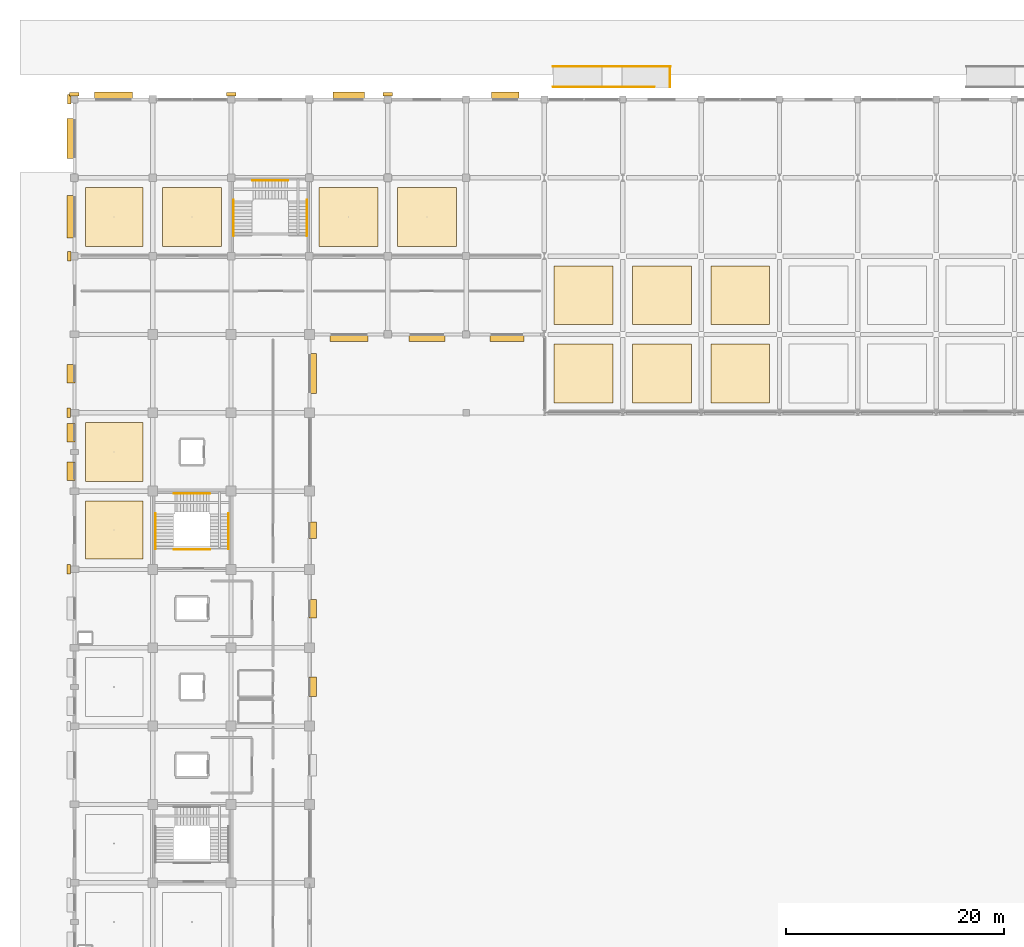
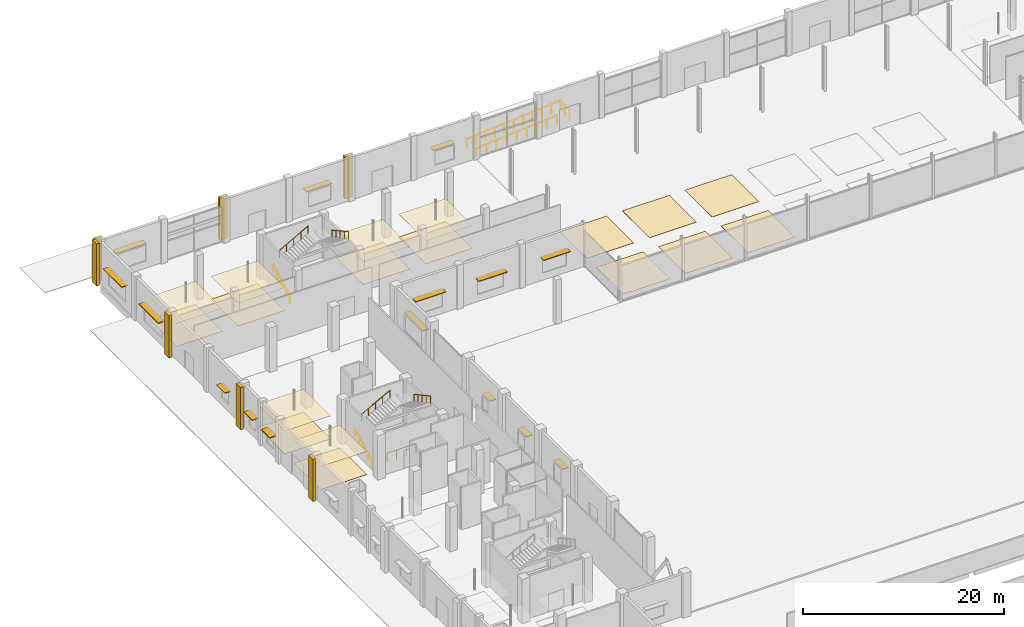
# One storey, part 86 of 90: 25 coverings, 15 shading devices, 10 railings.
"""IFC4 building model written with IfcOpenShell, lengths in metres."""

from ifc_helpers import new_model, si_unit, direction, frame, origin, origin_2d, place, context, subcontext, project, spatial, polyline, rectangle, circle, outline, extrude, material, layer, layer_set, type_object, element, save


model = new_model("IFC4")

# Units and contexts
model_context = context("Model", 3, precision=1e-05, world=origin(), true_north=direction((0.0, 1.0)))
body_context = subcontext(model_context, "Body", "Model", "MODEL_VIEW")
ifc_project = project(units=[si_unit("LENGTHUNIT", "METRE"), si_unit("AREAUNIT", "SQUARE_METRE"), si_unit("VOLUMEUNIT", "CUBIC_METRE"), si_unit("PLANEANGLEUNIT", "RADIAN"), si_unit("MASSUNIT", "GRAM", prefix="KILO")], contexts=[model_context])

# Site, building, storey
site_placement = place(None, origin())
site = spatial("IfcSite", under=ifc_project, at=site_placement, CompositionType="ELEMENT")
building_placement = place(site_placement, origin())
building = spatial("IfcBuilding", under=site, at=building_placement, Name="Kangsadwip Square Police Headquarters", CompositionType="ELEMENT")
storey_placement = place(building_placement, origin())
storey = spatial("IfcBuildingStorey", under=building, at=storey_placement, Name="L00", CompositionType="ELEMENT", Elevation=0.0)

# Railings
ifc_material_1 = material(Name="Structural steel IS 2062 E250 (Grade 250, 250 MPa)", Category="steel")
railing_type_1 = type_object("IfcRailingType", Name="BalustradeGuard1100", PredefinedType="BALUSTRADE", material=ifc_material_1)
railing_1_placement = place(storey_placement, frame((44.0, 116.360107421875, -0.89990234375)))
element("IfcRailing", 1, at=railing_1_placement, inside=storey, type_object=railing_type_1, Name="Accessible Ramp Guard AR-01-29", PredefinedType="BALUSTRADE", context=body_context, shape_type="SweptSolid", body=[
    extrude(circle(Radius=0.02392578125, at=origin_2d()), frame((0.0, 0.0, 1.09619140625), z_axis=(0.99672403335, 0.0, 0.080877693725), x_axis=(0.0, 1.0, 0.0)), (0.0, 0.0, 1.0), 9.33056640625),
    extrude(circle(Radius=0.02099609375, at=origin_2d()), origin(), (0.0, 0.0, 1.0), 1.072021484375),
    extrude(circle(Radius=0.02099609375, at=origin_2d()), frame((1.16259765625, 0.0, 0.09423828125)), (0.0, 0.0, 1.0), 1.072021484375),
    extrude(circle(Radius=0.02099609375, at=origin_2d()), frame((2.324951171875, 0.0, 0.188720703125)), (0.0, 0.0, 1.0), 1.072021484375),
    extrude(circle(Radius=0.02099609375, at=origin_2d()), frame((3.487548828125, 0.0, 0.282958984375)), (0.0, 0.0, 1.0), 1.072021484375),
    extrude(circle(Radius=0.02099609375, at=origin_2d()), frame((4.64990234375, 0.0, 0.37744140625)), (0.0, 0.0, 1.0), 1.072021484375),
    extrude(circle(Radius=0.02099609375, at=origin_2d()), frame((5.8125, 0.0, 0.4716796875)), (0.0, 0.0, 1.0), 1.072021484375),
    extrude(circle(Radius=0.02099609375, at=origin_2d()), frame((6.97509765625, 0.0, 0.56591796875)), (0.0, 0.0, 1.0), 1.072021484375),
    extrude(circle(Radius=0.02099609375, at=origin_2d()), frame((8.137451171875, 0.0, 0.660400390625)), (0.0, 0.0, 1.0), 1.072021484375),
    extrude(circle(Radius=0.02099609375, at=origin_2d()), frame((9.300048828125, 0.0, 0.754638671875)), (0.0, 0.0, 1.0), 1.072021484375),
])
railing_2_placement = place(storey_placement, frame((44.0, 118.239990234375, -0.89990234375)))
element("IfcRailing", 2, at=railing_2_placement, inside=storey, type_object=railing_type_1, Name="Accessible Ramp Guard AR-01-30", PredefinedType="BALUSTRADE", context=body_context, shape_type="SweptSolid", body=[
    extrude(circle(Radius=0.02392578125, at=origin_2d()), frame((0.0, 0.0, 1.09619140625), z_axis=(0.99654653501, 0.0, 0.083036158149), x_axis=(0.0, 1.0, 0.0)), (0.0, 0.0, 1.0), 10.83740234375),
    extrude(circle(Radius=0.02099609375, at=origin_2d()), origin(), (0.0, 0.0, 1.0), 1.072021484375),
    extrude(circle(Radius=0.02099609375, at=origin_2d()), frame((1.080078125, 0.0, 0.090087890625)), (0.0, 0.0, 1.0), 1.072021484375),
    extrude(circle(Radius=0.02099609375, at=origin_2d()), frame((2.159912109375, 0.0, 0.179931640625)), (0.0, 0.0, 1.0), 1.072021484375),
    extrude(circle(Radius=0.02099609375, at=origin_2d()), frame((3.239990234375, 0.0, 0.27001953125)), (0.0, 0.0, 1.0), 1.072021484375),
    extrude(circle(Radius=0.02099609375, at=origin_2d()), frame((4.320068359375, 0.0, 0.35986328125)), (0.0, 0.0, 1.0), 1.072021484375),
    extrude(circle(Radius=0.02099609375, at=origin_2d()), frame((5.39990234375, 0.0, 0.449951171875)), (0.0, 0.0, 1.0), 1.072021484375),
    extrude(circle(Radius=0.02099609375, at=origin_2d()), frame((6.47998046875, 0.0, 0.5400390625)), (0.0, 0.0, 1.0), 1.072021484375),
    extrude(circle(Radius=0.02099609375, at=origin_2d()), frame((7.56005859375, 0.0, 0.6298828125)), (0.0, 0.0, 1.0), 1.072021484375),
    extrude(circle(Radius=0.02099609375, at=origin_2d()), frame((8.64013671875, 0.0, 0.719970703125)), (0.0, 0.0, 1.0), 1.072021484375),
    extrude(circle(Radius=0.02099609375, at=origin_2d()), frame((9.719970703125, 0.0, 0.809814453125)), (0.0, 0.0, 1.0), 1.072021484375),
    extrude(circle(Radius=0.02099609375, at=origin_2d()), frame((10.800048828125, 0.0, 0.89990234375)), (0.0, 0.0, 1.0), 1.072021484375),
])
railing_3_placement = place(storey_placement, frame((54.739990234375, 116.360107421875, 0.0)))
element("IfcRailing", 3, at=railing_3_placement, inside=storey, type_object=railing_type_1, Name="Accessible Ramp End Guard AR-01-31", PredefinedType="BALUSTRADE", context=body_context, shape_type="SweptSolid", body=[
    extrude(circle(Radius=0.02392578125, at=origin_2d()), frame((0.0, 0.0, 1.09619140625), z_axis=(0.0, 1.0, 0.0), x_axis=(-1.0, 0.0, 0.0)), (0.0, 0.0, 1.0), 1.8798828125),
    extrude(circle(Radius=0.02099609375, at=origin_2d()), origin(), (0.0, 0.0, 1.0), 1.072021484375),
    extrude(circle(Radius=0.02099609375, at=origin_2d()), frame((0.0, 0.93994140625, 0.0)), (0.0, 0.0, 1.0), 1.072021484375),
    extrude(circle(Radius=0.02099609375, at=origin_2d()), frame((0.0, 1.8798828125, 0.0)), (0.0, 0.0, 1.0), 1.072021484375),
])
railing_4_placement = place(storey_placement, frame((9.1298828125, 73.820068359375, 0.0)))
element("IfcRailing", 4, at=railing_4_placement, inside=storey, type_object=railing_type_1, Name="Stair Guard ST-02 L00-39", PredefinedType="BALUSTRADE", context=body_context, shape_type="SweptSolid", body=[
    extrude(circle(Radius=0.02392578125, at=origin_2d()), frame((0.0, 0.0, 1.09619140625), z_axis=(1.0, 0.0, 0.0), x_axis=(0.0, 1.0, 0.0)), (0.0, 0.0, 1.0), 3.340087890625),
    extrude(circle(Radius=0.02099609375, at=origin_2d()), origin(), (0.0, 0.0, 1.0), 1.072021484375),
    extrude(circle(Radius=0.02099609375, at=origin_2d()), frame((1.11328125, 0.0, 0.0)), (0.0, 0.0, 1.0), 1.072021484375),
    extrude(circle(Radius=0.02099609375, at=origin_2d()), frame((2.226806640625, 0.0, 0.0)), (0.0, 0.0, 1.0), 1.072021484375),
    extrude(circle(Radius=0.02099609375, at=origin_2d()), frame((3.340087890625, 0.0, 0.0)), (0.0, 0.0, 1.0), 1.072021484375),
])

# Coverings
ifc_material_2 = material(Name="Seamless anti-static epoxy and polished Kota stone interior flooring", Category="masonry")
ifc_layer_1 = layer(ifc_material_2, 0.02001953125)
ifc_layer_set_1 = layer_set([ifc_layer_1], Name="Seamless anti-static epoxy and polished Kota stone interior flooring")
covering_type_1 = type_object("IfcCoveringType", Name="InteriorStoneEpoxyFloor", PredefinedType="FLOORING", material=ifc_layer_set_1)
covering_1_placement = place(storey_placement, origin())
element("IfcCovering", 5, at=covering_1_placement, inside=storey, type_object=covering_type_1, Name="Interior Floor Finish L00-001", PredefinedType="FLOORING", context=body_context, shape_type="SweptSolid", body=[
    extrude(outline(polyline([(44.10009765625, 87.300048828125), (49.5, 87.300048828125), (49.5, 92.699951171875), (44.10009765625, 92.699951171875), (44.10009765625, 87.300048828125)])), origin(), (0.0, 0.0, 1.0), 0.02001953125),
])
covering_2_placement = place(storey_placement, origin())
element("IfcCovering", 6, at=covering_2_placement, inside=storey, type_object=covering_type_1, Name="Interior Floor Finish L00-002", PredefinedType="FLOORING", context=body_context, shape_type="SweptSolid", body=[
    extrude(outline(polyline([(51.300048828125, 87.300048828125), (56.699951171875, 87.300048828125), (56.699951171875, 92.699951171875), (51.300048828125, 92.699951171875), (51.300048828125, 87.300048828125)])), origin(), (0.0, 0.0, 1.0), 0.02001953125),
])
covering_3_placement = place(storey_placement, origin())
element("IfcCovering", 7, at=covering_3_placement, inside=storey, type_object=covering_type_1, Name="Interior Floor Finish L00-003", PredefinedType="FLOORING", context=body_context, shape_type="SweptSolid", body=[
    extrude(outline(polyline([(58.5, 87.300048828125), (63.89990234375, 87.300048828125), (63.89990234375, 92.699951171875), (58.5, 92.699951171875), (58.5, 87.300048828125)])), origin(), (0.0, 0.0, 1.0), 0.02001953125),
])
covering_4_placement = place(storey_placement, origin())
element("IfcCovering", 8, at=covering_4_placement, inside=storey, type_object=covering_type_1, Name="Interior Floor Finish L00-007", PredefinedType="FLOORING", context=body_context, shape_type="SweptSolid", body=[
    extrude(outline(polyline([(44.10009765625, 94.5), (49.5, 94.5), (49.5, 99.89990234375), (44.10009765625, 99.89990234375), (44.10009765625, 94.5)])), origin(), (0.0, 0.0, 1.0), 0.02001953125),
])
covering_5_placement = place(storey_placement, origin())
element("IfcCovering", 9, at=covering_5_placement, inside=storey, type_object=covering_type_1, Name="Interior Floor Finish L00-008", PredefinedType="FLOORING", context=body_context, shape_type="SweptSolid", body=[
    extrude(outline(polyline([(51.300048828125, 94.5), (56.699951171875, 94.5), (56.699951171875, 99.89990234375), (51.300048828125, 99.89990234375), (51.300048828125, 94.5)])), origin(), (0.0, 0.0, 1.0), 0.02001953125),
])
covering_6_placement = place(storey_placement, origin())
element("IfcCovering", 10, at=covering_6_placement, inside=storey, type_object=covering_type_1, Name="Interior Floor Finish L00-009", PredefinedType="FLOORING", context=body_context, shape_type="SweptSolid", body=[
    extrude(outline(polyline([(58.5, 94.5), (63.89990234375, 94.5), (63.89990234375, 99.89990234375), (58.5, 99.89990234375), (58.5, 94.5)])), origin(), (0.0, 0.0, 1.0), 0.02001953125),
])
covering_7_placement = place(storey_placement, origin())
element("IfcCovering", 11, at=covering_7_placement, inside=storey, type_object=covering_type_1, Name="Interior Floor Finish L00-013", PredefinedType="FLOORING", context=body_context, shape_type="SweptSolid", body=[
    extrude(outline(polyline([(1.0, 101.699951171875), (6.300048828125, 101.699951171875), (6.300048828125, 107.10009765625), (1.0, 107.10009765625), (1.0, 101.699951171875)])), origin(), (0.0, 0.0, 1.0), 0.02001953125),
])
covering_8_placement = place(storey_placement, origin())
element("IfcCovering", 12, at=covering_8_placement, inside=storey, type_object=covering_type_1, Name="Interior Floor Finish L00-014", PredefinedType="FLOORING", context=body_context, shape_type="SweptSolid", body=[
    extrude(outline(polyline([(8.10009765625, 101.699951171875), (13.5, 101.699951171875), (13.5, 107.10009765625), (8.10009765625, 107.10009765625), (8.10009765625, 101.699951171875)])), origin(), (0.0, 0.0, 1.0), 0.02001953125),
])
covering_9_placement = place(storey_placement, origin())
element("IfcCovering", 13, at=covering_9_placement, inside=storey, type_object=covering_type_1, Name="Interior Floor Finish L00-015", PredefinedType="FLOORING", context=body_context, shape_type="SweptSolid", body=[
    extrude(outline(polyline([(22.5, 101.699951171875), (27.89990234375, 101.699951171875), (27.89990234375, 107.10009765625), (22.5, 107.10009765625), (22.5, 101.699951171875)])), origin(), (0.0, 0.0, 1.0), 0.02001953125),
])
covering_10_placement = place(storey_placement, origin())
element("IfcCovering", 14, at=covering_10_placement, inside=storey, type_object=covering_type_1, Name="Interior Floor Finish L00-016", PredefinedType="FLOORING", context=body_context, shape_type="SweptSolid", body=[
    extrude(outline(polyline([(29.699951171875, 101.699951171875), (35.10009765625, 101.699951171875), (35.10009765625, 107.10009765625), (29.699951171875, 107.10009765625), (29.699951171875, 101.699951171875)])), origin(), (0.0, 0.0, 1.0), 0.02001953125),
])
covering_11_placement = place(storey_placement, origin())
element("IfcCovering", 15, at=covering_11_placement, inside=storey, type_object=covering_type_1, Name="Interior Floor Finish L00-028", PredefinedType="FLOORING", context=body_context, shape_type="SweptSolid", body=[
    extrude(outline(polyline([(1.0, 72.949951171875), (6.300048828125, 72.949951171875), (6.300048828125, 78.300048828125), (1.0, 78.300048828125), (1.0, 72.949951171875)])), origin(), (0.0, 0.0, 1.0), 0.02001953125),
])
covering_12_placement = place(storey_placement, origin())
element("IfcCovering", 16, at=covering_12_placement, inside=storey, type_object=covering_type_1, Name="Interior Floor Finish L00-029", PredefinedType="FLOORING", context=body_context, shape_type="SweptSolid", body=[
    extrude(outline(polyline([(1.0, 80.10009765625), (6.300048828125, 80.10009765625), (6.300048828125, 85.5), (1.0, 85.5), (1.0, 80.10009765625)])), origin(), (0.0, 0.0, 1.0), 0.02001953125),
])

# Railings
ifc_material_3 = material(Name="Structural steel IS 2062 E250 (Grade 250, 250 MPa)", Category="steel")
railing_type_2 = type_object("IfcRailingType", Name="StairPitchHandrail900", PredefinedType="HANDRAIL", material=ifc_material_3)
railing_5_placement = place(storey_placement, frame((7.43994140625, 73.860107421875, 0.0)))
element("IfcRailing", 17, at=railing_5_placement, inside=storey, type_object=railing_type_2, Name="Stair Handrail ST-02 L00-40", PredefinedType="HANDRAIL", context=body_context, shape_type="SweptSolid", body=[
    extrude(circle(Radius=0.02392578125, at=origin_2d()), frame((0.0, 0.0, 0.8759765625), z_axis=(0.0, 0.8778781969, 0.478883985332), x_axis=(-1.0, 0.0, 0.0)), (0.0, 0.0, 1.0), 3.7587890625),
    extrude(circle(Radius=0.02099609375, at=origin_2d()), origin(), (0.0, 0.0, 1.0), 0.851806640625),
    extrude(circle(Radius=0.02099609375, at=origin_2d()), frame((0.0, 0.824951171875, 0.449951171875)), (0.0, 0.0, 1.0), 0.851806640625),
    extrude(circle(Radius=0.02099609375, at=origin_2d()), frame((0.0, 1.64990234375, 0.89990234375)), (0.0, 0.0, 1.0), 0.851806640625),
    extrude(circle(Radius=0.02099609375, at=origin_2d()), frame((0.0, 2.474853515625, 1.35009765625)), (0.0, 0.0, 1.0), 0.851806640625),
    extrude(circle(Radius=0.02099609375, at=origin_2d()), frame((0.0, 3.2998046875, 1.800048828125)), (0.0, 0.0, 1.0), 0.851806640625),
])
railing_6_placement = place(storey_placement, frame((9.14990234375, 78.9599609375, 1.800048828125)))
element("IfcRailing", 18, at=railing_6_placement, inside=storey, type_object=railing_type_2, Name="Stair Handrail ST-02 L00-41", PredefinedType="HANDRAIL", context=body_context, shape_type="SweptSolid", body=[
    extrude(circle(Radius=0.02392578125, at=origin_2d()), frame((0.0, 0.0, 0.8759765625), z_axis=(0.877893090839, 0.0, 0.478856681124), x_axis=(0.0, 1.0, 0.0)), (0.0, 0.0, 1.0), 3.759033203125),
    extrude(circle(Radius=0.02099609375, at=origin_2d()), origin(), (0.0, 0.0, 1.0), 0.851806640625),
    extrude(circle(Radius=0.02099609375, at=origin_2d()), frame((0.824951171875, 0.0, 0.449951171875)), (0.0, 0.0, 1.0), 0.851806640625),
    extrude(circle(Radius=0.02099609375, at=origin_2d()), frame((1.64990234375, 0.0, 0.89990234375)), (0.0, 0.0, 1.0), 0.851806640625),
    extrude(circle(Radius=0.02099609375, at=origin_2d()), frame((2.47509765625, 0.0, 1.35009765625)), (0.0, 0.0, 1.0), 0.851806640625),
    extrude(circle(Radius=0.02099609375, at=origin_2d()), frame((3.300048828125, 0.0, 1.800048828125)), (0.0, 0.0, 1.0), 0.851806640625),
])
railing_7_placement = place(storey_placement, frame((14.159912109375, 77.159912109375, 3.60009765625)))
element("IfcRailing", 19, at=railing_7_placement, inside=storey, type_object=railing_type_2, Name="Stair Handrail ST-02 L00-42", PredefinedType="HANDRAIL", context=body_context, shape_type="SweptSolid", body=[
    extrude(circle(Radius=0.02392578125, at=origin_2d()), frame((0.0, 0.0, 0.8759765625), z_axis=(0.0, -0.877905501855, 0.478833927173), x_axis=(1.0, 0.0, 0.0)), (0.0, 0.0, 1.0), 3.7587890625),
    extrude(circle(Radius=0.02099609375, at=origin_2d()), origin(), (0.0, 0.0, 1.0), 0.851806640625),
    extrude(circle(Radius=0.02099609375, at=origin_2d()), frame((0.0, -0.824951171875, 0.449951171875)), (0.0, 0.0, 1.0), 0.851806640625),
    extrude(circle(Radius=0.02099609375, at=origin_2d()), frame((0.0, -1.64990234375, 0.89990234375)), (0.0, 0.0, 1.0), 0.851806640625),
    extrude(circle(Radius=0.02099609375, at=origin_2d()), frame((0.0, -2.474853515625, 1.349853515625)), (0.0, 0.0, 1.0), 0.851806640625),
    extrude(circle(Radius=0.02099609375, at=origin_2d()), frame((0.0, -3.2998046875, 1.7998046875)), (0.0, 0.0, 1.0), 0.851806640625),
])
railing_8_placement = place(storey_placement, frame((14.639892578125, 102.659912109375, 0.0)))
element("IfcRailing", 20, at=railing_8_placement, inside=storey, type_object=railing_type_2, Name="Stair Handrail ST-07 L00-163", PredefinedType="HANDRAIL", context=body_context, shape_type="SweptSolid", body=[
    extrude(circle(Radius=0.02392578125, at=origin_2d()), frame((0.0, 0.0, 0.8759765625), z_axis=(0.0, 0.877893090839, 0.478856681124), x_axis=(-1.0, 0.0, 0.0)), (0.0, 0.0, 1.0), 3.759033203125),
    extrude(circle(Radius=0.02099609375, at=origin_2d()), origin(), (0.0, 0.0, 1.0), 0.851806640625),
    extrude(circle(Radius=0.02099609375, at=origin_2d()), frame((0.0, 0.824951171875, 0.449951171875)), (0.0, 0.0, 1.0), 0.851806640625),
    extrude(circle(Radius=0.02099609375, at=origin_2d()), frame((0.0, 1.64990234375, 0.89990234375)), (0.0, 0.0, 1.0), 0.851806640625),
    extrude(circle(Radius=0.02099609375, at=origin_2d()), frame((0.0, 2.47509765625, 1.35009765625)), (0.0, 0.0, 1.0), 0.851806640625),
    extrude(circle(Radius=0.02099609375, at=origin_2d()), frame((0.0, 3.300048828125, 1.800048828125)), (0.0, 0.0, 1.0), 0.851806640625),
])
railing_9_placement = place(storey_placement, frame((16.35009765625, 107.760009765625, 1.800048828125)))
element("IfcRailing", 21, at=railing_9_placement, inside=storey, type_object=railing_type_2, Name="Stair Handrail ST-07 L00-164", PredefinedType="HANDRAIL", context=body_context, shape_type="SweptSolid", body=[
    extrude(circle(Radius=0.02392578125, at=origin_2d()), frame((0.0, 0.0, 0.8759765625), z_axis=(0.8778781969, 0.0, 0.478883985332), x_axis=(0.0, 1.0, 0.0)), (0.0, 0.0, 1.0), 3.7587890625),
    extrude(circle(Radius=0.02099609375, at=origin_2d()), origin(), (0.0, 0.0, 1.0), 0.851806640625),
    extrude(circle(Radius=0.02099609375, at=origin_2d()), frame((0.824951171875, 0.0, 0.449951171875)), (0.0, 0.0, 1.0), 0.851806640625),
    extrude(circle(Radius=0.02099609375, at=origin_2d()), frame((1.64990234375, 0.0, 0.89990234375)), (0.0, 0.0, 1.0), 0.851806640625),
    extrude(circle(Radius=0.02099609375, at=origin_2d()), frame((2.474853515625, 0.0, 1.35009765625)), (0.0, 0.0, 1.0), 0.851806640625),
    extrude(circle(Radius=0.02099609375, at=origin_2d()), frame((3.2998046875, 0.0, 1.800048828125)), (0.0, 0.0, 1.0), 0.851806640625),
])
railing_10_placement = place(storey_placement, frame((21.360107421875, 105.9599609375, 3.60009765625)))
element("IfcRailing", 22, at=railing_10_placement, inside=storey, type_object=railing_type_2, Name="Stair Handrail ST-07 L00-165", PredefinedType="HANDRAIL", context=body_context, shape_type="SweptSolid", body=[
    extrude(circle(Radius=0.02392578125, at=origin_2d()), frame((0.0, 0.0, 0.8759765625), z_axis=(0.0, -0.877920393143, 0.478806624122), x_axis=(1.0, 0.0, 0.0)), (0.0, 0.0, 1.0), 3.759033203125),
    extrude(circle(Radius=0.02099609375, at=origin_2d()), origin(), (0.0, 0.0, 1.0), 0.851806640625),
    extrude(circle(Radius=0.02099609375, at=origin_2d()), frame((0.0, -0.824951171875, 0.449951171875)), (0.0, 0.0, 1.0), 0.851806640625),
    extrude(circle(Radius=0.02099609375, at=origin_2d()), frame((0.0, -1.64990234375, 0.89990234375)), (0.0, 0.0, 1.0), 0.851806640625),
    extrude(circle(Radius=0.02099609375, at=origin_2d()), frame((0.0, -2.47509765625, 1.349853515625)), (0.0, 0.0, 1.0), 0.851806640625),
    extrude(circle(Radius=0.02099609375, at=origin_2d()), frame((0.0, -3.300048828125, 1.7998046875)), (0.0, 0.0, 1.0), 0.851806640625),
])

# Coverings
ifc_material_4 = material(Name="Perforated mineral-fibre and acoustic baffle suspended ceiling", Category="wood")
ifc_layer_2 = layer(ifc_material_4, 0.02490234375)
ifc_layer_set_2 = layer_set([ifc_layer_2], Name="Perforated mineral-fibre and acoustic baffle suspended ceiling")
covering_type_2 = type_object("IfcCoveringType", Name="SuspendedAcousticCeiling", PredefinedType="CEILING", material=ifc_layer_set_2)
covering_13_placement = place(storey_placement, frame((0.0, 0.0, 2.800048828125)))
element("IfcCovering", 23, at=covering_13_placement, inside=storey, type_object=covering_type_2, Name="Suspended Acoustic Ceiling L00-013", PredefinedType="CEILING", context=body_context, shape_type="SweptSolid", body=[
    extrude(outline(polyline([(1.0, 101.699951171875), (6.300048828125, 101.699951171875), (6.300048828125, 107.10009765625), (1.0, 107.10009765625), (1.0, 101.699951171875)])), origin(), (0.0, 0.0, 1.0), 0.02490234375),
])
covering_14_placement = place(storey_placement, frame((0.0, 0.0, 2.800048828125)))
element("IfcCovering", 24, at=covering_14_placement, inside=storey, type_object=covering_type_2, Name="Suspended Acoustic Ceiling L00-014", PredefinedType="CEILING", context=body_context, shape_type="SweptSolid", body=[
    extrude(outline(polyline([(8.10009765625, 101.699951171875), (13.5, 101.699951171875), (13.5, 107.10009765625), (8.10009765625, 107.10009765625), (8.10009765625, 101.699951171875)])), origin(), (0.0, 0.0, 1.0), 0.02490234375),
])
covering_15_placement = place(storey_placement, frame((0.0, 0.0, 2.800048828125)))
element("IfcCovering", 25, at=covering_15_placement, inside=storey, type_object=covering_type_2, Name="Suspended Acoustic Ceiling L00-015", PredefinedType="CEILING", context=body_context, shape_type="SweptSolid", body=[
    extrude(outline(polyline([(22.5, 101.699951171875), (27.89990234375, 101.699951171875), (27.89990234375, 107.10009765625), (22.5, 107.10009765625), (22.5, 101.699951171875)])), origin(), (0.0, 0.0, 1.0), 0.02490234375),
])
covering_16_placement = place(storey_placement, frame((0.0, 0.0, 2.800048828125)))
element("IfcCovering", 26, at=covering_16_placement, inside=storey, type_object=covering_type_2, Name="Suspended Acoustic Ceiling L00-016", PredefinedType="CEILING", context=body_context, shape_type="SweptSolid", body=[
    extrude(outline(polyline([(29.699951171875, 101.699951171875), (35.10009765625, 101.699951171875), (35.10009765625, 107.10009765625), (29.699951171875, 107.10009765625), (29.699951171875, 101.699951171875)])), origin(), (0.0, 0.0, 1.0), 0.02490234375),
])
covering_17_placement = place(storey_placement, frame((0.0, 0.0, 2.800048828125)))
element("IfcCovering", 27, at=covering_17_placement, inside=storey, type_object=covering_type_2, Name="Suspended Acoustic Ceiling L00-028", PredefinedType="CEILING", context=body_context, shape_type="SweptSolid", body=[
    extrude(outline(polyline([(1.0, 72.949951171875), (6.300048828125, 72.949951171875), (6.300048828125, 78.300048828125), (1.0, 78.300048828125), (1.0, 72.949951171875)])), origin(), (0.0, 0.0, 1.0), 0.02490234375),
])
covering_18_placement = place(storey_placement, frame((0.0, 0.0, 2.800048828125)))
element("IfcCovering", 28, at=covering_18_placement, inside=storey, type_object=covering_type_2, Name="Suspended Acoustic Ceiling L00-029", PredefinedType="CEILING", context=body_context, shape_type="SweptSolid", body=[
    extrude(outline(polyline([(1.0, 80.10009765625), (6.300048828125, 80.10009765625), (6.300048828125, 85.5), (1.0, 85.5), (1.0, 80.10009765625)])), origin(), (0.0, 0.0, 1.0), 0.02490234375),
])
ifc_material_5 = material(Name="Glazed architectural terracotta masonry rainscreen", Category="masonry")
ifc_layer_3 = layer(ifc_material_5, 0.034912109375)
ifc_layer_set_3 = layer_set([ifc_layer_3], Name="Glazed architectural terracotta masonry rainscreen")
covering_type_3 = type_object("IfcCoveringType", Name="TerracottaPierCladding", PredefinedType="CLADDING", material=ifc_layer_set_3)
covering_19_placement = place(storey_placement, origin())
element("IfcCovering", 29, at=covering_19_placement, inside=storey, type_object=covering_type_3, Name="Terracotta Pier Cladding L00-006", PredefinedType="CLADDING", context=body_context, shape_type="SweptSolid", body=[
    extrude(outline(polyline([(-0.699951171875, 71.56005859375), (-0.3798828125, 71.56005859375), (-0.3798828125, 72.43994140625), (-0.699951171875, 72.43994140625), (-0.699951171875, 71.56005859375)])), origin(), (0.0, 0.0, 1.0), 5.14990234375),
])
covering_20_placement = place(storey_placement, origin())
element("IfcCovering", 30, at=covering_20_placement, inside=storey, type_object=covering_type_3, Name="Terracotta Pier Cladding L00-007", PredefinedType="CLADDING", context=body_context, shape_type="SweptSolid", body=[
    extrude(outline(polyline([(-0.699951171875, 85.9599609375), (-0.3798828125, 85.9599609375), (-0.3798828125, 86.840087890625), (-0.699951171875, 86.840087890625), (-0.699951171875, 85.9599609375)])), origin(), (0.0, 0.0, 1.0), 5.14990234375),
])
covering_21_placement = place(storey_placement, origin())
element("IfcCovering", 31, at=covering_21_placement, inside=storey, type_object=covering_type_3, Name="Terracotta Pier Cladding L00-008", PredefinedType="CLADDING", context=body_context, shape_type="SweptSolid", body=[
    extrude(outline(polyline([(-0.64990234375, 100.360107421875), (-0.330078125, 100.360107421875), (-0.330078125, 101.239990234375), (-0.64990234375, 101.239990234375), (-0.64990234375, 100.360107421875)])), origin(), (0.0, 0.0, 1.0), 5.14990234375),
])
covering_22_placement = place(storey_placement, origin())
element("IfcCovering", 32, at=covering_22_placement, inside=storey, type_object=covering_type_3, Name="Terracotta Pier Cladding L00-009", PredefinedType="CLADDING", context=body_context, shape_type="SweptSolid", body=[
    extrude(outline(polyline([(-0.64990234375, 114.760009765625), (-0.330078125, 114.760009765625), (-0.330078125, 115.639892578125), (-0.64990234375, 115.639892578125), (-0.64990234375, 114.760009765625)])), origin(), (0.0, 0.0, 1.0), 5.14990234375),
])
covering_23_placement = place(storey_placement, origin())
element("IfcCovering", 33, at=covering_23_placement, inside=storey, type_object=covering_type_3, Name="Terracotta Pier Cladding L00-017", PredefinedType="CLADDING", context=body_context, shape_type="SweptSolid", body=[
    extrude(outline(polyline([(-0.43994140625, 115.530029296875), (0.43994140625, 115.530029296875), (0.43994140625, 115.85009765625), (-0.43994140625, 115.85009765625), (-0.43994140625, 115.530029296875)])), origin(), (0.0, 0.0, 1.0), 5.14990234375),
])
covering_24_placement = place(storey_placement, origin())
element("IfcCovering", 34, at=covering_24_placement, inside=storey, type_object=covering_type_3, Name="Terracotta Pier Cladding L00-018", PredefinedType="CLADDING", context=body_context, shape_type="SweptSolid", body=[
    extrude(outline(polyline([(13.9599609375, 115.530029296875), (14.840087890625, 115.530029296875), (14.840087890625, 115.85009765625), (13.9599609375, 115.85009765625), (13.9599609375, 115.530029296875)])), origin(), (0.0, 0.0, 1.0), 5.14990234375),
])
covering_25_placement = place(storey_placement, origin())
element("IfcCovering", 35, at=covering_25_placement, inside=storey, type_object=covering_type_3, Name="Terracotta Pier Cladding L00-019", PredefinedType="CLADDING", context=body_context, shape_type="SweptSolid", body=[
    extrude(outline(polyline([(28.360107421875, 115.530029296875), (29.239990234375, 115.530029296875), (29.239990234375, 115.85009765625), (28.360107421875, 115.85009765625), (28.360107421875, 115.530029296875)])), origin(), (0.0, 0.0, 1.0), 5.14990234375),
])

# Shading devices
ifc_material_6 = material(Name="Architectural terracotta and anodised aluminium AW-6061-T6", Category="aluminium")
shading_device_type = type_object("IfcShadingDeviceType", Name="TerracottaChhajjaAwning", PredefinedType="AWNING", material=ifc_material_6)
shading_device_1_placement = place(storey_placement, frame((25.25, 93.300048828125, 2.81494140625), z_axis=(0.0, 0.0, 1.0), x_axis=(1.0, 0.0, 0.0)))
element("IfcShadingDevice", 36, at=shading_device_1_placement, inside=storey, type_object=shading_device_type, Name="Terracotta Chhajja Hood CHJ-L00-0002", PredefinedType="AWNING", context=body_context, shape_type="SweptSolid", body=[
    extrude(rectangle(XDim=3.5, YDim=0.719970703125, at=origin_2d()), origin(), (0.0, 0.0, 1.0), 0.090087890625),
])
shading_device_2_placement = place(storey_placement, frame((32.41259765625, 93.300048828125, 2.76513671875), z_axis=(0.0, 0.0, 1.0), x_axis=(1.0, 0.0, 0.0)))
element("IfcShadingDevice", 37, at=shading_device_2_placement, inside=storey, type_object=shading_device_type, Name="Terracotta Chhajja Hood CHJ-L00-0003", PredefinedType="AWNING", context=body_context, shape_type="SweptSolid", body=[
    extrude(rectangle(XDim=3.300048828125, YDim=0.719970703125, at=origin_2d()), origin(), (0.0, 0.0, 1.0), 0.090087890625),
])
shading_device_3_placement = place(storey_placement, frame((39.7548828125, 93.300048828125, 2.71484375), z_axis=(0.0, 0.0, 1.0), x_axis=(1.0, 0.0, 0.0)))
element("IfcShadingDevice", 38, at=shading_device_3_placement, inside=storey, type_object=shading_device_type, Name="Terracotta Chhajja Hood CHJ-L00-0004", PredefinedType="AWNING", context=body_context, shape_type="SweptSolid", body=[
    extrude(rectangle(XDim=3.10009765625, YDim=0.719970703125, at=origin_2d()), origin(), (0.0, 0.0, 1.0), 0.090087890625),
])
shading_device_4_placement = place(storey_placement, frame((3.60009765625, 115.5, 2.81494140625), z_axis=(0.0, 0.0, 1.0), x_axis=(1.0, 0.0, 0.0)))
element("IfcShadingDevice", 39, at=shading_device_4_placement, inside=storey, type_object=shading_device_type, Name="Terracotta Chhajja Hood CHJ-L00-0005", PredefinedType="AWNING", context=body_context, shape_type="SweptSolid", body=[
    extrude(rectangle(XDim=3.5, YDim=0.719970703125, at=origin_2d()), origin(), (0.0, 0.0, 1.0), 0.090087890625),
])
shading_device_5_placement = place(storey_placement, frame((25.199951171875, 115.5, 2.6650390625), z_axis=(0.0, 0.0, 1.0), x_axis=(1.0, 0.0, 0.0)))
element("IfcShadingDevice", 40, at=shading_device_5_placement, inside=storey, type_object=shading_device_type, Name="Terracotta Chhajja Hood CHJ-L00-0006", PredefinedType="AWNING", context=body_context, shape_type="SweptSolid", body=[
    extrude(rectangle(XDim=2.89990234375, YDim=0.719970703125, at=origin_2d()), origin(), (0.0, 0.0, 1.0), 0.090087890625),
])
shading_device_6_placement = place(storey_placement, frame((39.60009765625, 115.5, 2.56494140625), z_axis=(0.0, 0.0, 1.0), x_axis=(1.0, 0.0, 0.0)))
element("IfcShadingDevice", 41, at=shading_device_6_placement, inside=storey, type_object=shading_device_type, Name="Terracotta Chhajja Hood CHJ-L00-0007", PredefinedType="AWNING", context=body_context, shape_type="SweptSolid", body=[
    extrude(rectangle(XDim=2.5, YDim=0.719970703125, at=origin_2d()), origin(), (0.0, 0.0, 1.0), 0.090087890625),
])
for number, where, z_axis, x_axis, name in (
    (42, (-0.300048828125, 81.03759765625, 2.46484375), (0.0, 0.0, 1.0), (0.0, 1.0, 0.0), "Terracotta Chhajja Hood CHJ-L00-0017"),
    (43, (-0.300048828125, 84.5625, 2.46484375), (0.0, 0.0, 1.0), (0.0, 1.0, 0.0), "Terracotta Chhajja Hood CHJ-L00-0018"),
    (44, (-0.300048828125, 90.0, 2.46484375), (0.0, 0.0, 1.0), (0.0, 1.0, 0.0), "Terracotta Chhajja Hood CHJ-L00-0019"),
):
    element("IfcShadingDevice", number, at=place(storey_placement, frame(where, z_axis=z_axis, x_axis=x_axis)), inside=storey, type_object=shading_device_type, Name=name, PredefinedType="AWNING", context=body_context, shape_type="SweptSolid", body=[
        extrude(rectangle(XDim=1.699951171875, YDim=0.719970703125, at=origin_2d()), origin(), (0.0, 0.0, 1.0), 0.090087890625),
    ])
shading_device_7_placement = place(storey_placement, frame((-0.300048828125, 104.39990234375, 2.9150390625), z_axis=(0.0, 0.0, 1.0), x_axis=(0.0, 1.0, 0.0)))
element("IfcShadingDevice", 45, at=shading_device_7_placement, inside=storey, type_object=shading_device_type, Name="Terracotta Chhajja Hood CHJ-L00-0020", PredefinedType="AWNING", context=body_context, shape_type="SweptSolid", body=[
    extrude(rectangle(XDim=3.89990234375, YDim=0.719970703125, at=origin_2d()), origin(), (0.0, 0.0, 1.0), 0.090087890625),
])
shading_device_8_placement = place(storey_placement, frame((-0.300048828125, 111.60009765625, 2.86474609375), z_axis=(0.0, 0.0, 1.0), x_axis=(0.0, 1.0, 0.0)))
element("IfcShadingDevice", 46, at=shading_device_8_placement, inside=storey, type_object=shading_device_type, Name="Terracotta Chhajja Hood CHJ-L00-0021", PredefinedType="AWNING", context=body_context, shape_type="SweptSolid", body=[
    extrude(rectangle(XDim=3.699951171875, YDim=0.719970703125, at=origin_2d()), origin(), (0.0, 0.0, 1.0), 0.090087890625),
])
shading_device_9_placement = place(storey_placement, frame((21.89990234375, 61.199951171875, 2.9150390625), z_axis=(0.0, 0.0, 1.0), x_axis=(0.0, 1.0, 0.0)))
element("IfcShadingDevice", 47, at=shading_device_9_placement, inside=storey, type_object=shading_device_type, Name="Terracotta Chhajja Hood CHJ-L00-0024", PredefinedType="AWNING", context=body_context, shape_type="SweptSolid", body=[
    extrude(rectangle(XDim=1.800048828125, YDim=0.719970703125, at=origin_2d()), origin(), (0.0, 0.0, 1.0), 0.090087890625),
])
shading_device_10_placement = place(storey_placement, frame((21.89990234375, 68.39990234375, 2.46484375), z_axis=(0.0, 0.0, 1.0), x_axis=(0.0, 1.0, 0.0)))
element("IfcShadingDevice", 48, at=shading_device_10_placement, inside=storey, type_object=shading_device_type, Name="Terracotta Chhajja Hood CHJ-L00-0025", PredefinedType="AWNING", context=body_context, shape_type="SweptSolid", body=[
    extrude(rectangle(XDim=1.699951171875, YDim=0.719970703125, at=origin_2d()), origin(), (0.0, 0.0, 1.0), 0.090087890625),
])
shading_device_11_placement = place(storey_placement, frame((21.89990234375, 75.60009765625, 2.36474609375), z_axis=(0.0, 0.0, 1.0), x_axis=(0.0, 1.0, 0.0)))
element("IfcShadingDevice", 49, at=shading_device_11_placement, inside=storey, type_object=shading_device_type, Name="Terracotta Chhajja Hood CHJ-L00-0026", PredefinedType="AWNING", context=body_context, shape_type="SweptSolid", body=[
    extrude(rectangle(XDim=1.550048828125, YDim=0.719970703125, at=origin_2d()), origin(), (0.0, 0.0, 1.0), 0.090087890625),
])
shading_device_12_placement = place(storey_placement, frame((21.89990234375, 90.0, 2.86474609375), z_axis=(0.0, 0.0, 1.0), x_axis=(0.0, 1.0, 0.0)))
element("IfcShadingDevice", 50, at=shading_device_12_placement, inside=storey, type_object=shading_device_type, Name="Terracotta Chhajja Hood CHJ-L00-0027", PredefinedType="AWNING", context=body_context, shape_type="SweptSolid", body=[
    extrude(rectangle(XDim=3.699951171875, YDim=0.719970703125, at=origin_2d()), origin(), (0.0, 0.0, 1.0), 0.090087890625),
])

save(model, "model.ifc")
